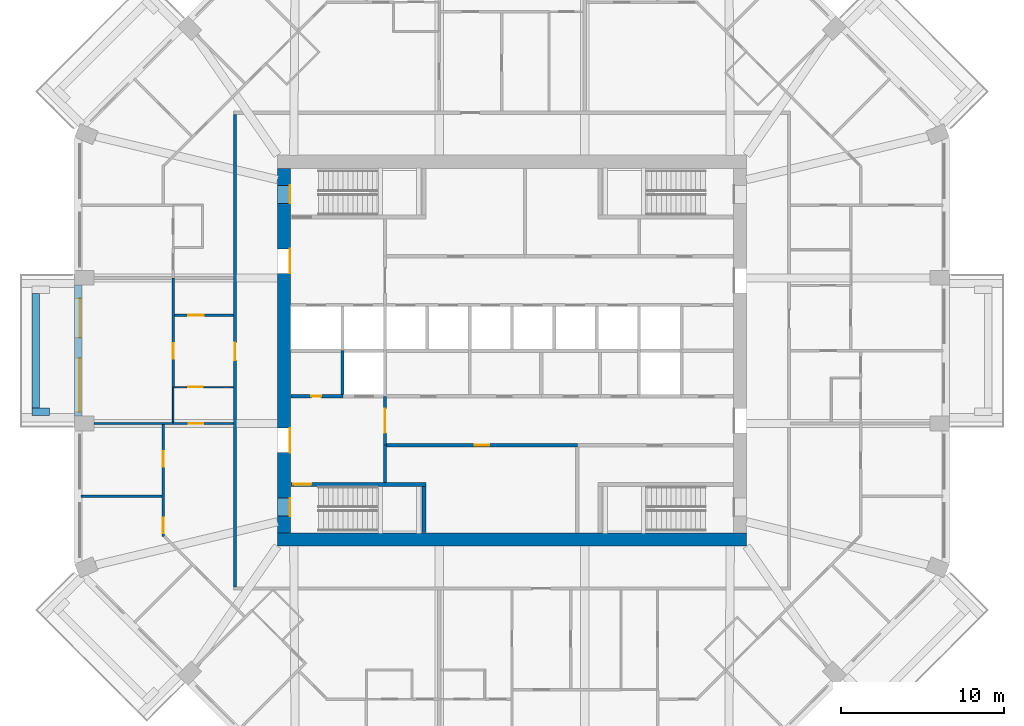
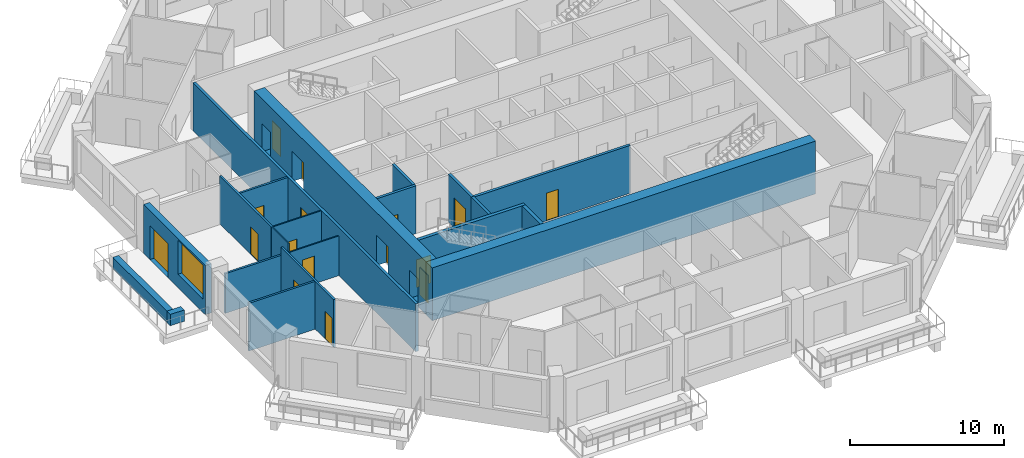
# One storey, part 4 of 13: 21 walls, 16 doors, 1 window, 17 openings.
"""IFC4 building model written with IfcOpenShell, lengths in metres."""

from ifc_helpers import new_model, si_unit, direction, frame, frame_2d, origin, place, context, subcontext, project, spatial, rectangle, extrude, material, layer, layer_set, type_object, element, fill, save


model = new_model("IFC4")

# Units and contexts
model_context = context("Model", 3, precision=1e-05, world=origin(), true_north=direction((0.0, 1.0)))
body_context = subcontext(model_context, "Body", "Model", "MODEL_VIEW")
ifc_project = project(units=[si_unit("LENGTHUNIT", "METRE"), si_unit("AREAUNIT", "SQUARE_METRE"), si_unit("VOLUMEUNIT", "CUBIC_METRE"), si_unit("PLANEANGLEUNIT", "RADIAN"), si_unit("MASSUNIT", "GRAM", prefix="KILO")], contexts=[model_context])

# Site, building, storey
site_placement = place(None, origin())
site = spatial("IfcSite", under=ifc_project, at=site_placement, CompositionType="ELEMENT")
building_placement = place(site_placement, origin())
building = spatial("IfcBuilding", under=site, at=building_placement, Name="Msitu Wima Residences", CompositionType="ELEMENT")
storey_placement = place(building_placement, frame((0.0, 0.0, 144.300048828125)))
storey = spatial("IfcBuildingStorey", under=building, at=storey_placement, Name="L33", CompositionType="ELEMENT", Elevation=144.300048828125)

# Walls
ifc_material_1 = material(Name="Facing brick")
ifc_layer_1 = layer(ifc_material_1, 0.06494140625, Name="Facing brick")
ifc_material_2 = material(Name="Concrete C40/50", Category="concrete")
ifc_layer_2 = layer(ifc_material_2, 0.156005859375, Name="Concrete C40/50")
ifc_material_3 = material(Name="Waterproofing membrane")
ifc_layer_3 = layer(ifc_material_3, 0.00390625, Name="Waterproofing membrane")
ifc_material_4 = material(Name="Planting soil and planting")
ifc_layer_4 = layer(ifc_material_4, 0.22509765625, Name="Planting soil and planting")
ifc_layer_set_1 = layer_set([ifc_layer_1, ifc_layer_2, ifc_layer_3, ifc_layer_4], Name="Concrete C40/50")
wall_type_1 = type_object("IfcWallType", Name="Balcony planter PLANTER PL450", PredefinedType="USERDEFINED", material=ifc_layer_set_1)
wall_1_placement = place(storey_placement, frame((-29.22509765625, 3.5185546875, 0.0), z_axis=(0.0, 0.0, 1.0), x_axis=(0.0, -1.0, 0.0)))
element("IfcWall", 1, at=wall_1_placement, inside=storey, type_object=wall_type_1, Name="Balcony planter W1 L33", ObjectType="PLANTER", PredefinedType="USERDEFINED", context=body_context, shape_type="SweptSolid", body=[
    extrude(rectangle(XDim=7.037109375, YDim=0.449951171875, at=frame_2d((3.5185546875, 0.0))), origin(), (0.0, 0.0, 1.0), 0.89990234375),
])
wall_2_placement = place(storey_placement, frame((-28.39990234375, -3.74365234375, 0.0), z_axis=(0.0, 0.0, 1.0), x_axis=(-1.0, 0.0, 0.0)))
element("IfcWall", 2, at=wall_2_placement, inside=storey, type_object=wall_type_1, Name="Balcony planter W1 L33", ObjectType="PLANTER", PredefinedType="USERDEFINED", context=body_context, shape_type="SweptSolid", body=[
    extrude(rectangle(XDim=1.050048828125, YDim=0.449951171875, at=frame_2d((0.52490234375, 0.0))), origin(), (0.0, 0.0, 1.0), 0.89990234375),
])

# Wall, openings, door, window
ifc_material_5 = material(Name="Brick (red buff mix)", Category="masonry")
ifc_layer_5 = layer(ifc_material_5, 0.449951171875)
ifc_layer_set_2 = layer_set([ifc_layer_5], Name="Brick (red buff mix)")
wall_type_2 = type_object("IfcWallType", Name="Brick infill wall BW450", PredefinedType="SOLIDWALL", material=ifc_layer_set_2)
wall_3_placement = place(storey_placement, frame((-26.625, 4.0185546875, 0.0), z_axis=(0.0, 0.0, 1.0), x_axis=(0.0, -1.0, 0.0)))
wall_3 = element("IfcWall", 3, at=wall_3_placement, inside=storey, type_object=wall_type_2, Name="Brick infill wall L33 W1", PredefinedType="SOLIDWALL", context=body_context, shape_type="SweptSolid", body=[
    extrude(rectangle(XDim=8.037109375, YDim=0.449951171875, at=frame_2d((4.0185546875, 0.0))), origin(), (0.0, 0.0, 1.0), 3.89990234375),
])
opening_1_placement = place(wall_3_placement, frame((0.809326171875, 0.0, 0.0)))
opening_1 = element("IfcOpeningElement", 4, at=opening_1_placement, cuts=wall_3, Name="Opening D33.010", PredefinedType="OPENING", context=body_context, shape_type="SweptSolid", body=[
    extrude(rectangle(XDim=2.39990234375, YDim=2.699951171875, at=frame_2d((1.199951171875, 1.35009765625))), frame((0.0, 0.23486328125, 0.0), z_axis=(0.0, -1.0, 0.0), x_axis=(1.0, 0.0, 0.0)), (0.0, 0.0, 1.0), 0.469970703125),
])
opening_2_placement = place(wall_3_placement, frame((4.46875, 0.0, 1.050048828125)))
opening_2 = element("IfcOpeningElement", 5, at=opening_2_placement, cuts=wall_3, Name="Opening W33.028", PredefinedType="OPENING", context=body_context, shape_type="SweptSolid", body=[
    extrude(rectangle(XDim=3.300048828125, YDim=2.699951171875, at=frame_2d((1.64990234375, 1.35009765625))), frame((0.0, 0.23486328125, 0.0), z_axis=(0.0, -1.0, 0.0), x_axis=(1.0, 0.0, 0.0)), (0.0, 0.0, 1.0), 0.469970703125),
])
ifc_material_6 = material(Name="Anodised aluminium, bronze finish, clear low-emissivity double glazing", Category="aluminium")
door_type_1 = type_object("IfcDoorType", Name="Balcony door D2400x2700", OperationType="SLIDING_TO_LEFT", PredefinedType="DOOR", material=ifc_material_6)
door_1_placement = place(opening_1_placement, origin())
door_1 = element("IfcDoor", 6, at=door_1_placement, inside=storey, type_object=door_type_1, Name="Balcony door L33 W1", OperationType="SINGLE_SWING_LEFT", OverallHeight=2.699951171875, OverallWidth=2.39990234375, PredefinedType="DOOR", context=body_context, shape_type="SweptSolid", body=[
    extrude(rectangle(XDim=2.39990234375, YDim=2.699951171875, at=frame_2d((1.199951171875, 1.35009765625))), frame((0.0, 0.1298828125, 0.0), z_axis=(0.0, -1.0, 0.0), x_axis=(1.0, 0.0, 0.0)), (0.0, 0.0, 1.0), 0.050048828125),
])
fill(opening_1, door_1)
window_type = type_object("IfcWindowType", Name="Window W3300x2700", PartitioningType="DOUBLE_PANEL_VERTICAL", PredefinedType="WINDOW", material=ifc_material_6)
window_placement = place(opening_2_placement, origin())
window = element("IfcWindow", 7, at=window_placement, inside=storey, type_object=window_type, Name="Window L33 W1.2", OverallHeight=2.699951171875, OverallWidth=3.300048828125, PartitioningType="SINGLE_PANEL", PredefinedType="WINDOW", context=body_context, shape_type="SweptSolid", body=[
    extrude(rectangle(XDim=3.300048828125, YDim=2.699951171875, at=frame_2d((1.64990234375, 1.35009765625))), frame((0.0, 0.135009765625, 0.0), z_axis=(0.0, -1.0, 0.0), x_axis=(1.0, 0.0, 0.0)), (0.0, 0.0, 1.0), 0.06005859375),
])
fill(opening_2, window)

# Wall
ifc_material_7 = material(Name="Concrete C70/85", Category="concrete")
ifc_layer_6 = layer(ifc_material_7, 0.800048828125)
ifc_layer_set_3 = layer_set([ifc_layer_6], Name="Concrete C70/85")
wall_type_3 = type_object("IfcWallType", Name="Core wall CW800 C70/85", PredefinedType="SHEAR", material=ifc_layer_set_3)
wall_4_placement = place(storey_placement, frame((-14.39990234375, -11.60009765625, 0.0), z_axis=(0.0, 0.0, 1.0), x_axis=(1.0, 0.0, 0.0)))
element("IfcWall", 8, at=wall_4_placement, inside=storey, type_object=wall_type_3, Name="Core wall", PredefinedType="SHEAR", context=body_context, shape_type="SweptSolid", body=[
    extrude(rectangle(XDim=28.7998046875, YDim=0.800048828125, at=frame_2d((14.39990234375, 0.0))), origin(), (0.0, 0.0, 1.0), 4.199951171875),
])

# Wall, openings, doors
wall_5_placement = place(storey_placement, frame((-14.0, -11.199951171875, 0.0), z_axis=(0.0, 0.0, 1.0), x_axis=(0.0, 1.0, 0.0)))
wall_5 = element("IfcWall", 9, at=wall_5_placement, inside=storey, type_object=wall_type_3, Name="Core wall", PredefinedType="SHEAR", context=body_context, shape_type="SweptSolid", body=[
    extrude(rectangle(XDim=22.39990234375, YDim=0.800048828125, at=frame_2d((11.199951171875, 0.0))), origin(), (0.0, 0.0, 1.0), 4.199951171875),
])
opening_3_placement = place(wall_5_placement, frame((20.25, 0.0, 0.0)))
opening_3 = element("IfcOpeningElement", 10, at=opening_3_placement, cuts=wall_5, Name="Opening D33.033", PredefinedType="OPENING", context=body_context, shape_type="SweptSolid", body=[
    extrude(rectangle(XDim=1.10009765625, YDim=2.199951171875, at=frame_2d((0.550048828125, 1.10009765625))), frame((0.0, 0.409912109375, 0.0), z_axis=(0.0, -1.0, 0.0), x_axis=(1.0, 0.0, 0.0)), (0.0, 0.0, 1.0), 0.820068359375),
])
opening_4_placement = place(wall_5_placement, frame((1.050048828125, 0.0, 0.0)))
opening_4 = element("IfcOpeningElement", 11, at=opening_4_placement, cuts=wall_5, Name="Opening D33.035", PredefinedType="OPENING", context=body_context, shape_type="SweptSolid", body=[
    extrude(rectangle(XDim=1.10009765625, YDim=2.199951171875, at=frame_2d((0.550048828125, 1.10009765625))), frame((0.0, 0.409912109375, 0.0), z_axis=(0.0, -1.0, 0.0), x_axis=(1.0, 0.0, 0.0)), (0.0, 0.0, 1.0), 0.820068359375),
])
opening_5_placement = place(wall_5_placement, frame((15.949951171875, 0.0, 0.0)))
opening_5 = element("IfcOpeningElement", 12, at=opening_5_placement, cuts=wall_5, Name="Opening D33.016", PredefinedType="OPENING", context=body_context, shape_type="SweptSolid", body=[
    extrude(rectangle(XDim=1.5, YDim=2.39990234375, at=frame_2d((0.75, 1.199951171875))), frame((0.0, 0.409912109375, 0.0), z_axis=(0.0, -1.0, 0.0), x_axis=(1.0, 0.0, 0.0)), (0.0, 0.0, 1.0), 0.820068359375),
])
opening_6_placement = place(wall_5_placement, frame((4.949951171875, 0.0, 0.0)))
opening_6 = element("IfcOpeningElement", 13, at=opening_6_placement, cuts=wall_5, Name="Opening D33.018", PredefinedType="OPENING", context=body_context, shape_type="SweptSolid", body=[
    extrude(rectangle(XDim=1.5, YDim=2.39990234375, at=frame_2d((0.75, 1.199951171875))), frame((0.0, 0.409912109375, 0.0), z_axis=(0.0, -1.0, 0.0), x_axis=(1.0, 0.0, 0.0)), (0.0, 0.0, 1.0), 0.820068359375),
])
ifc_material_8 = material(Name="Steel framed glazed door, fire resisting", Category="steel")
door_type_2 = type_object("IfcDoorType", Name="Lobby door D07 1500x2400", OperationType="DOUBLE_DOOR_SINGLE_SWING", PredefinedType="DOOR", material=ifc_material_8)
door_2_placement = place(opening_5_placement, origin())
door_2 = element("IfcDoor", 14, at=door_2_placement, inside=storey, type_object=door_type_2, Name="Lobby door", OperationType="DOUBLE_DOOR_SINGLE_SWING", OverallHeight=2.39990234375, OverallWidth=1.5, PredefinedType="DOOR", context=body_context, shape_type="SweptSolid", body=[
    extrude(rectangle(XDim=1.5, YDim=2.39990234375, at=frame_2d((0.75, 1.199951171875))), frame((0.0, -0.34521484375, 0.0), z_axis=(0.0, -1.0, 0.0), x_axis=(1.0, 0.0, 0.0)), (0.0, 0.0, 1.0), 0.050048828125),
])
fill(opening_5, door_2)
door_3_placement = place(opening_6_placement, origin())
door_3 = element("IfcDoor", 15, at=door_3_placement, inside=storey, type_object=door_type_2, Name="Lobby door", OperationType="DOUBLE_DOOR_SINGLE_SWING", OverallHeight=2.39990234375, OverallWidth=1.5, PredefinedType="DOOR", context=body_context, shape_type="SweptSolid", body=[
    extrude(rectangle(XDim=1.5, YDim=2.39990234375, at=frame_2d((0.75, 1.199951171875))), frame((0.0, -0.34521484375, 0.0), z_axis=(0.0, -1.0, 0.0), x_axis=(1.0, 0.0, 0.0)), (0.0, 0.0, 1.0), 0.050048828125),
])
fill(opening_6, door_3)
ifc_material_9 = material(Name="Steel door, fire resisting, panic bar", Category="steel")
door_type_3 = type_object("IfcDoorType", Name="Stair door D06 1100x2200", OperationType="SINGLE_SWING_LEFT", PredefinedType="DOOR", material=ifc_material_9)
door_4_placement = place(opening_3_placement, origin())
door_4 = element("IfcDoor", 16, at=door_4_placement, inside=storey, type_object=door_type_3, Name="Stair door", OperationType="SINGLE_SWING_RIGHT", OverallHeight=2.199951171875, OverallWidth=1.10009765625, PredefinedType="DOOR", context=body_context, shape_type="SweptSolid", body=[
    extrude(rectangle(XDim=1.10009765625, YDim=2.199951171875, at=frame_2d((0.550048828125, 1.10009765625))), frame((0.0, -0.34521484375, 0.0), z_axis=(0.0, -1.0, 0.0), x_axis=(1.0, 0.0, 0.0)), (0.0, 0.0, 1.0), 0.050048828125),
])
fill(opening_3, door_4)
door_5_placement = place(opening_4_placement, origin())
door_5 = element("IfcDoor", 17, at=door_5_placement, inside=storey, type_object=door_type_3, Name="Stair door", OperationType="SINGLE_SWING_LEFT", OverallHeight=2.199951171875, OverallWidth=1.10009765625, PredefinedType="DOOR", context=body_context, shape_type="SweptSolid", body=[
    extrude(rectangle(XDim=1.10009765625, YDim=2.199951171875, at=frame_2d((0.550048828125, 1.10009765625))), frame((0.0, -0.34521484375, 0.0), z_axis=(0.0, -1.0, 0.0), x_axis=(1.0, 0.0, 0.0)), (0.0, 0.0, 1.0), 0.050048828125),
])
fill(opening_4, door_5)

# Wall, opening, door
ifc_material_10 = material(Name="Plaster")
ifc_layer_7 = layer(ifc_material_10, 0.011962890625, Name="Plaster")
ifc_material_11 = material(Name="Concrete blockwork", Category="masonry")
ifc_layer_8 = layer(ifc_material_11, 0.176025390625, Name="Concrete blockwork")
ifc_layer_9 = layer(ifc_material_10, 0.011962890625, Name="Plaster")
ifc_layer_set_4 = layer_set([ifc_layer_7, ifc_layer_8, ifc_layer_9], Name="Concrete blockwork")
wall_type_4 = type_object("IfcWallType", Name="Corridor wall FW200", PredefinedType="PARTITIONING", material=ifc_layer_set_4)
wall_6_placement = place(storey_placement, frame((-17.0, -14.5, 0.0), z_axis=(0.0, 0.0, 1.0), x_axis=(0.0, 1.0, 0.0)))
wall_6 = element("IfcWall", 18, at=wall_6_placement, inside=storey, type_object=wall_type_4, Name="Corridor wall", PredefinedType="PARTITIONING", context=body_context, shape_type="SweptSolid", body=[
    extrude(rectangle(XDim=29.0, YDim=0.199951171875, at=frame_2d((14.5, 0.0))), origin(), (0.0, 0.0, 1.0), 3.7978515625),
])
opening_7_placement = place(wall_6_placement, frame((13.89990234375, 0.0, 0.0)))
opening_7 = element("IfcOpeningElement", 19, at=opening_7_placement, cuts=wall_6, Name="Opening D33.013", PredefinedType="OPENING", context=body_context, shape_type="SweptSolid", body=[
    extrude(rectangle(XDim=1.10009765625, YDim=2.39990234375, at=frame_2d((0.550048828125, 1.199951171875))), frame((0.0, 0.10986328125, 0.0), z_axis=(0.0, -1.0, 0.0), x_axis=(1.0, 0.0, 0.0)), (0.0, 0.0, 1.0), 0.219970703125),
])
ifc_material_12 = material(Name="Timber flush door, fire resisting, self-closing", Category="wood")
door_type_4 = type_object("IfcDoorType", Name="Flat entrance door D01 1100x2400", OperationType="SINGLE_SWING_LEFT", PredefinedType="DOOR", material=ifc_material_12)
door_6_placement = place(opening_7_placement, origin())
door_6 = element("IfcDoor", 20, at=door_6_placement, inside=storey, type_object=door_type_4, Name="Flat entrance door", OperationType="SINGLE_SWING_LEFT", OverallHeight=2.39990234375, OverallWidth=1.10009765625, PredefinedType="DOOR", context=body_context, shape_type="SweptSolid", body=[
    extrude(rectangle(XDim=1.10009765625, YDim=2.39990234375, at=frame_2d((0.550048828125, 1.199951171875))), frame((0.0, 0.02490234375, 0.0), z_axis=(0.0, -1.0, 0.0), x_axis=(1.0, 0.0, 0.0)), (0.0, 0.0, 1.0), 0.050048828125),
])
fill(opening_7, door_6)

wall_7_placement = place(storey_placement, frame((-7.800048828125, -5.800048828125, 0.0), z_axis=(0.0, 0.0, 1.0), x_axis=(0.0, 1.0, 0.0)))
wall_7 = element("IfcWall", 21, at=wall_7_placement, inside=storey, type_object=wall_type_4, Name="Corridor wall", PredefinedType="PARTITIONING", context=body_context, shape_type="SweptSolid", body=[
    extrude(rectangle(XDim=3.0, YDim=0.199951171875, at=frame_2d((1.5, 0.0))), origin(), (0.0, 0.0, 1.0), 3.7978515625),
])
opening_8_placement = place(wall_7_placement, frame((0.75, 0.0, 0.0)))
opening_8 = element("IfcOpeningElement", 22, at=opening_8_placement, cuts=wall_7, Name="Opening D33.019", PredefinedType="OPENING", context=body_context, shape_type="SweptSolid", body=[
    extrude(rectangle(XDim=1.5, YDim=2.39990234375, at=frame_2d((0.75, 1.199951171875))), frame((0.0, 0.10986328125, 0.0), z_axis=(0.0, -1.0, 0.0), x_axis=(1.0, 0.0, 0.0)), (0.0, 0.0, 1.0), 0.219970703125),
])
door_7_placement = place(opening_8_placement, origin())
door_7 = element("IfcDoor", 23, at=door_7_placement, inside=storey, type_object=door_type_2, Name="Lobby door", OperationType="DOUBLE_DOOR_SINGLE_SWING", OverallHeight=2.39990234375, OverallWidth=1.5, PredefinedType="DOOR", context=body_context, shape_type="SweptSolid", body=[
    extrude(rectangle(XDim=1.5, YDim=2.39990234375, at=frame_2d((0.75, 1.199951171875))), frame((0.0, 0.02490234375, 0.0), z_axis=(0.0, -1.0, 0.0), x_axis=(1.0, 0.0, 0.0)), (0.0, 0.0, 1.0), 0.050048828125),
])
fill(opening_8, door_7)

# Walls
ifc_layer_10 = layer(ifc_material_10, 0.011962890625, Name="Plaster")
ifc_layer_11 = layer(ifc_material_11, 0.1259765625, Name="Concrete blockwork")
ifc_layer_12 = layer(ifc_material_10, 0.011962890625, Name="Plaster")
ifc_layer_set_5 = layer_set([ifc_layer_10, ifc_layer_11, ifc_layer_12], Name="Concrete blockwork")
wall_type_5 = type_object("IfcWallType", Name="Partition PW150", PredefinedType="PARTITIONING", material=ifc_layer_set_5)
wall_8_placement = place(storey_placement, frame((-26.455078125, -8.937255859375, 0.0), z_axis=(0.0, 0.0, 1.0), x_axis=(1.0, 0.0, 0.0)))
element("IfcWall", 24, at=wall_8_placement, inside=storey, type_object=wall_type_5, Name="Partition", PredefinedType="PARTITIONING", context=body_context, shape_type="SweptSolid", body=[
    extrude(rectangle(XDim=4.97998046875, YDim=0.14990234375, at=frame_2d((2.489990234375, 0.0))), origin(), (0.0, 0.0, 1.0), 3.7978515625),
])
wall_9_placement = place(storey_placement, frame((-25.64990234375, -4.46875, 0.0), z_axis=(0.0, 0.0, 1.0), x_axis=(1.0, 0.0, 0.0)))
element("IfcWall", 25, at=wall_9_placement, inside=storey, type_object=wall_type_5, Name="Partition", PredefinedType="PARTITIONING", context=body_context, shape_type="SweptSolid", body=[
    extrude(rectangle(XDim=4.849853515625, YDim=0.14990234375, at=frame_2d((2.4248046875, 0.0))), origin(), (0.0, 0.0, 1.0), 3.14990234375),
])

# Wall, openings, doors
wall_10_placement = place(storey_placement, frame((-21.39990234375, -11.409912109375, 0.0), z_axis=(0.0, 0.0, 1.0), x_axis=(0.0, 1.0, 0.0)))
wall_10 = element("IfcWall", 26, at=wall_10_placement, inside=storey, type_object=wall_type_5, Name="Partition", PredefinedType="PARTITIONING", context=body_context, shape_type="SweptSolid", body=[
    extrude(rectangle(XDim=6.8662109375, YDim=0.14990234375, at=frame_2d((3.43310546875, 0.0))), origin(), (0.0, 0.0, 1.0), 3.7978515625),
])
opening_9_placement = place(wall_10_placement, frame((4.300048828125, 0.0, 0.0)))
opening_9 = element("IfcOpeningElement", 27, at=opening_9_placement, cuts=wall_10, Name="Opening D33.063", PredefinedType="OPENING", context=body_context, shape_type="SweptSolid", body=[
    extrude(rectangle(XDim=0.949951171875, YDim=2.199951171875, at=frame_2d((0.47509765625, 1.10009765625))), frame((0.0, 0.0849609375, 0.0), z_axis=(0.0, -1.0, 0.0), x_axis=(1.0, 0.0, 0.0)), (0.0, 0.0, 1.0), 0.169921875),
])
opening_10_placement = place(wall_10_placement, frame((0.199951171875, 0.0, 0.0)))
opening_10 = element("IfcOpeningElement", 28, at=opening_10_placement, cuts=wall_10, Name="Opening D33.070", PredefinedType="OPENING", context=body_context, shape_type="SweptSolid", body=[
    extrude(rectangle(XDim=0.949951171875, YDim=2.199951171875, at=frame_2d((0.47509765625, 1.10009765625))), frame((0.0, 0.0849609375, 0.0), z_axis=(0.0, -1.0, 0.0), x_axis=(1.0, 0.0, 0.0)), (0.0, 0.0, 1.0), 0.169921875),
])
ifc_material_13 = material(Name="Timber flush door", Category="wood")
door_type_5 = type_object("IfcDoorType", Name="Room door D12 950x2200", OperationType="SINGLE_SWING_LEFT", PredefinedType="DOOR", material=ifc_material_13)
door_8_placement = place(opening_9_placement, origin())
door_8 = element("IfcDoor", 29, at=door_8_placement, inside=storey, type_object=door_type_5, Name="Room door", OperationType="SINGLE_SWING_RIGHT", OverallHeight=2.199951171875, OverallWidth=0.949951171875, PredefinedType="DOOR", context=body_context, shape_type="SweptSolid", body=[
    extrude(rectangle(XDim=0.949951171875, YDim=2.199951171875, at=frame_2d((0.47509765625, 1.10009765625))), frame((0.0, 0.02490234375, 0.0), z_axis=(0.0, -1.0, 0.0), x_axis=(1.0, 0.0, 0.0)), (0.0, 0.0, 1.0), 0.050048828125),
])
fill(opening_9, door_8)
door_9_placement = place(opening_10_placement, origin())
door_9 = element("IfcDoor", 30, at=door_9_placement, inside=storey, type_object=door_type_5, Name="Room door", OperationType="SINGLE_SWING_RIGHT", OverallHeight=2.199951171875, OverallWidth=0.949951171875, PredefinedType="DOOR", context=body_context, shape_type="SweptSolid", body=[
    extrude(rectangle(XDim=0.949951171875, YDim=2.199951171875, at=frame_2d((0.47509765625, 1.10009765625))), frame((0.0, 0.02490234375, 0.0), z_axis=(0.0, -1.0, 0.0), x_axis=(1.0, 0.0, 0.0)), (0.0, 0.0, 1.0), 0.050048828125),
])
fill(opening_10, door_9)

# Wall, opening, door
wall_11_placement = place(storey_placement, frame((-20.800048828125, -2.25146484375, 0.0), z_axis=(0.0, 0.0, 1.0), x_axis=(0.0, 1.0, 0.0)))
wall_11 = element("IfcWall", 31, at=wall_11_placement, inside=storey, type_object=wall_type_5, Name="Partition", PredefinedType="PARTITIONING", context=body_context, shape_type="SweptSolid", body=[
    extrude(rectangle(XDim=6.72021484375, YDim=0.14990234375, at=frame_2d((3.360107421875, 0.0))), origin(), (0.0, 0.0, 1.0), 3.7978515625),
])
opening_11_placement = place(wall_11_placement, frame((1.75, 0.0, 0.0)))
opening_11 = element("IfcOpeningElement", 32, at=opening_11_placement, cuts=wall_11, Name="Opening D33.058", PredefinedType="OPENING", context=body_context, shape_type="SweptSolid", body=[
    extrude(rectangle(XDim=0.949951171875, YDim=2.199951171875, at=frame_2d((0.47509765625, 1.10009765625))), frame((0.0, 0.0849609375, 0.0), z_axis=(0.0, -1.0, 0.0), x_axis=(1.0, 0.0, 0.0)), (0.0, 0.0, 1.0), 0.169921875),
])
door_10_placement = place(opening_11_placement, origin())
door_10 = element("IfcDoor", 33, at=door_10_placement, inside=storey, type_object=door_type_5, Name="Room door", OperationType="SINGLE_SWING_LEFT", OverallHeight=2.199951171875, OverallWidth=0.949951171875, PredefinedType="DOOR", context=body_context, shape_type="SweptSolid", body=[
    extrude(rectangle(XDim=0.949951171875, YDim=2.199951171875, at=frame_2d((0.47509765625, 1.10009765625))), frame((0.0, 0.02490234375, 0.0), z_axis=(0.0, -1.0, 0.0), x_axis=(1.0, 0.0, 0.0)), (0.0, 0.0, 1.0), 0.050048828125),
])
fill(opening_11, door_10)

wall_12_placement = place(storey_placement, frame((-20.72509765625, 2.168701171875, 0.0), z_axis=(0.0, 0.0, 1.0), x_axis=(1.0, 0.0, 0.0)))
wall_12 = element("IfcWall", 34, at=wall_12_placement, inside=storey, type_object=wall_type_5, Name="Partition", PredefinedType="PARTITIONING", context=body_context, shape_type="SweptSolid", body=[
    extrude(rectangle(XDim=3.625, YDim=0.14990234375, at=frame_2d((1.8125, 0.0))), origin(), (0.0, 0.0, 1.0), 3.7978515625),
])
opening_12_placement = place(wall_12_placement, frame((0.85009765625, 0.0, 0.0)))
opening_12 = element("IfcOpeningElement", 35, at=opening_12_placement, cuts=wall_12, Name="Opening D33.060", PredefinedType="OPENING", context=body_context, shape_type="SweptSolid", body=[
    extrude(rectangle(XDim=0.949951171875, YDim=2.199951171875, at=frame_2d((0.47509765625, 1.10009765625))), frame((0.0, 0.0849609375, 0.0), z_axis=(0.0, -1.0, 0.0), x_axis=(1.0, 0.0, 0.0)), (0.0, 0.0, 1.0), 0.169921875),
])
door_11_placement = place(opening_12_placement, origin())
door_11 = element("IfcDoor", 36, at=door_11_placement, inside=storey, type_object=door_type_5, Name="Room door", OperationType="SINGLE_SWING_LEFT", OverallHeight=2.199951171875, OverallWidth=0.949951171875, PredefinedType="DOOR", context=body_context, shape_type="SweptSolid", body=[
    extrude(rectangle(XDim=0.949951171875, YDim=2.199951171875, at=frame_2d((0.47509765625, 1.10009765625))), frame((0.0, 0.02490234375, 0.0), z_axis=(0.0, -1.0, 0.0), x_axis=(1.0, 0.0, 0.0)), (0.0, 0.0, 1.0), 0.050048828125),
])
fill(opening_12, door_11)

ifc_layer_13 = layer(ifc_material_10, 0.011962890625, Name="Plaster")
ifc_material_14 = material(Name="Reinforced concrete blockwork", Category="masonry")
ifc_layer_14 = layer(ifc_material_14, 0.176025390625, Name="Reinforced concrete blockwork")
ifc_layer_15 = layer(ifc_material_10, 0.011962890625, Name="Plaster")
ifc_layer_set_6 = layer_set([ifc_layer_13, ifc_layer_14, ifc_layer_15], Name="Reinforced concrete blockwork")
wall_type_6 = type_object("IfcWallType", Name="Plant and riser wall PL200", PredefinedType="PARTITIONING", material=ifc_layer_set_6)
wall_13_placement = place(storey_placement, frame((-13.570068359375, -2.800048828125, 0.0), z_axis=(0.0, 0.0, 1.0), x_axis=(1.0, 0.0, 0.0)))
wall_13 = element("IfcWall", 37, at=wall_13_placement, inside=storey, type_object=wall_type_6, Name="Plant and riser wall", PredefinedType="PARTITIONING", context=body_context, shape_type="SweptSolid", body=[
    extrude(rectangle(XDim=3.190185546875, YDim=0.199951171875, at=frame_2d((1.59521484375, 0.0))), origin(), (0.0, 0.0, 1.0), 3.7978515625),
])
opening_13_placement = place(wall_13_placement, frame((1.25, 0.0, 0.0)))
opening_13 = element("IfcOpeningElement", 38, at=opening_13_placement, cuts=wall_13, Name="Opening D33.028", PredefinedType="OPENING", context=body_context, shape_type="SweptSolid", body=[
    extrude(rectangle(XDim=0.60009765625, YDim=2.0, at=frame_2d((0.300048828125, 1.0))), frame((0.0, 0.10986328125, 0.0), z_axis=(0.0, -1.0, 0.0), x_axis=(1.0, 0.0, 0.0)), (0.0, 0.0, 1.0), 0.219970703125),
])
ifc_material_15 = material(Name="Steel access door, fire resisting", Category="steel")
door_type_6 = type_object("IfcDoorType", Name="Riser access door D08 600x2000", OperationType="SINGLE_SWING_LEFT", PredefinedType="DOOR", material=ifc_material_15)
door_12_placement = place(opening_13_placement, origin())
door_12 = element("IfcDoor", 39, at=door_12_placement, inside=storey, type_object=door_type_6, Name="Riser access door", OperationType="SINGLE_SWING_RIGHT", OverallHeight=2.0, OverallWidth=0.60009765625, PredefinedType="DOOR", context=body_context, shape_type="SweptSolid", body=[
    extrude(rectangle(XDim=0.60009765625, YDim=2.0, at=frame_2d((0.300048828125, 1.0))), frame((0.0, 0.02490234375, 0.0), z_axis=(0.0, -1.0, 0.0), x_axis=(1.0, 0.0, 0.0)), (0.0, 0.0, 1.0), 0.050048828125),
])
fill(opening_13, door_12)

# Wall
wall_14_placement = place(storey_placement, frame((-7.800048828125, -8.074951171875, 0.0), z_axis=(0.0, 0.0, 1.0), x_axis=(0.0, 1.0, 0.0)))
element("IfcWall", 40, at=wall_14_placement, inside=storey, type_object=wall_type_6, Name="Plant and riser wall", PredefinedType="PARTITIONING", context=body_context, shape_type="SweptSolid", body=[
    extrude(rectangle(XDim=2.27490234375, YDim=0.199951171875, at=frame_2d((1.137451171875, 0.0))), origin(), (0.0, 0.0, 1.0), 3.7978515625),
])

# Wall, opening, door
wall_15_placement = place(storey_placement, frame((-7.699951171875, -5.800048828125, 0.0), z_axis=(0.0, 0.0, 1.0), x_axis=(1.0, 0.0, 0.0)))
wall_15 = element("IfcWall", 41, at=wall_15_placement, inside=storey, type_object=wall_type_6, Name="Plant and riser wall", PredefinedType="PARTITIONING", context=body_context, shape_type="SweptSolid", body=[
    extrude(rectangle(XDim=11.719970703125, YDim=0.199951171875, at=frame_2d((5.85986328125, 0.0))), origin(), (0.0, 0.0, 1.0), 3.7978515625),
])
opening_14_placement = place(wall_15_placement, frame((5.39990234375, 0.0, 0.0)))
opening_14 = element("IfcOpeningElement", 42, at=opening_14_placement, cuts=wall_15, Name="Opening D33.023", PredefinedType="OPENING", context=body_context, shape_type="SweptSolid", body=[
    extrude(rectangle(XDim=0.89990234375, YDim=2.199951171875, at=frame_2d((0.449951171875, 1.10009765625))), frame((0.0, 0.10986328125, 0.0), z_axis=(0.0, -1.0, 0.0), x_axis=(1.0, 0.0, 0.0)), (0.0, 0.0, 1.0), 0.219970703125),
])
door_type_7 = type_object("IfcDoorType", Name="Service door D05 900x2200", OperationType="SINGLE_SWING_LEFT", PredefinedType="DOOR", material=ifc_material_13)
door_13_placement = place(opening_14_placement, origin())
door_13 = element("IfcDoor", 43, at=door_13_placement, inside=storey, type_object=door_type_7, Name="Service door", OperationType="SINGLE_SWING_RIGHT", OverallHeight=2.199951171875, OverallWidth=0.89990234375, PredefinedType="DOOR", context=body_context, shape_type="SweptSolid", body=[
    extrude(rectangle(XDim=0.89990234375, YDim=2.199951171875, at=frame_2d((0.449951171875, 1.10009765625))), frame((0.0, 0.02490234375, 0.0), z_axis=(0.0, -1.0, 0.0), x_axis=(1.0, 0.0, 0.0)), (0.0, 0.0, 1.0), 0.050048828125),
])
fill(opening_14, door_13)

# Wall
ifc_material_16 = material(Name="Fire-rated board")
ifc_layer_16 = layer(ifc_material_16, 0.02490234375, Name="Fire-rated board")
ifc_material_17 = material(Name="Light-gauge stud framing with mineral wool")
ifc_layer_17 = layer(ifc_material_17, 0.14990234375, Name="Light-gauge stud framing with mineral wool")
ifc_layer_18 = layer(ifc_material_16, 0.02490234375, Name="Fire-rated board")
ifc_layer_set_7 = layer_set([ifc_layer_16, ifc_layer_17, ifc_layer_18], Name="Light-gauge stud framing with mineral wool")
wall_type_7 = type_object("IfcWallType", Name="Shaft wall SH200", PredefinedType="PARTITIONING", material=ifc_layer_set_7)
wall_16_placement = place(storey_placement, frame((-10.39990234375, -2.699951171875, 0.0), z_axis=(0.0, 0.0, 1.0), x_axis=(0.0, 1.0, 0.0)))
element("IfcWall", 44, at=wall_16_placement, inside=storey, type_object=wall_type_7, Name="Shaft wall", PredefinedType="PARTITIONING", context=body_context, shape_type="SweptSolid", body=[
    extrude(rectangle(XDim=2.699951171875, YDim=0.199951171875, at=frame_2d((1.35009765625, 0.0))), origin(), (0.0, 0.0, 1.0), 3.7978515625),
])

# Wall, opening, door
ifc_material_18 = material(Name="Concrete C50/60", Category="concrete")
ifc_layer_19 = layer(ifc_material_18, 0.25)
ifc_layer_set_8 = layer_set([ifc_layer_19], Name="Concrete C50/60")
wall_type_8 = type_object("IfcWallType", Name="Stair enclosure wall SW250", PredefinedType="SHEAR", material=ifc_layer_set_8)
wall_17_placement = place(storey_placement, frame((-13.570068359375, -8.199951171875, 0.0), z_axis=(0.0, 0.0, 1.0), x_axis=(1.0, 0.0, 0.0)))
wall_17 = element("IfcWall", 45, at=wall_17_placement, inside=storey, type_object=wall_type_8, Name="Stair enclosure wall", PredefinedType="SHEAR", context=body_context, shape_type="SweptSolid", body=[
    extrude(rectangle(XDim=8.295166015625, YDim=0.25, at=frame_2d((4.1474609375, 0.0))), origin(), (0.0, 0.0, 1.0), 3.7978515625),
])
opening_15_placement = place(wall_17_placement, frame((0.14990234375, 0.0, 0.0)))
opening_15 = element("IfcOpeningElement", 46, at=opening_15_placement, cuts=wall_17, Name="Opening D33.036", PredefinedType="OPENING", context=body_context, shape_type="SweptSolid", body=[
    extrude(rectangle(XDim=1.10009765625, YDim=2.199951171875, at=frame_2d((0.550048828125, 1.10009765625))), frame((0.0, 0.135009765625, 0.0), z_axis=(0.0, -1.0, 0.0), x_axis=(1.0, 0.0, 0.0)), (0.0, 0.0, 1.0), 0.27001953125),
])
door_14_placement = place(opening_15_placement, origin())
door_14 = element("IfcDoor", 47, at=door_14_placement, inside=storey, type_object=door_type_3, Name="Stair door", OperationType="SINGLE_SWING_RIGHT", OverallHeight=2.199951171875, OverallWidth=1.10009765625, PredefinedType="DOOR", context=body_context, shape_type="SweptSolid", body=[
    extrude(rectangle(XDim=1.10009765625, YDim=2.199951171875, at=frame_2d((0.550048828125, 1.10009765625))), frame((0.0, 0.02490234375, 0.0), z_axis=(0.0, -1.0, 0.0), x_axis=(1.0, 0.0, 0.0)), (0.0, 0.0, 1.0), 0.050048828125),
])
fill(opening_15, door_14)

# Wall
wall_18_placement = place(storey_placement, frame((-5.39990234375, -11.169921875, 0.0), z_axis=(0.0, 0.0, 1.0), x_axis=(0.0, 1.0, 0.0)))
element("IfcWall", 48, at=wall_18_placement, inside=storey, type_object=wall_type_8, Name="Stair enclosure wall", PredefinedType="SHEAR", context=body_context, shape_type="SweptSolid", body=[
    extrude(rectangle(XDim=2.844970703125, YDim=0.25, at=frame_2d((1.42236328125, 0.0))), origin(), (0.0, 0.0, 1.0), 3.7978515625),
])

# Wall, opening, door
ifc_material_19 = material(Name="Ceramic tiles")
ifc_layer_20 = layer(ifc_material_19, 0.008056640625, Name="Ceramic tiles")
ifc_material_20 = material(Name="Moisture-resistant board")
ifc_layer_21 = layer(ifc_material_20, 0.012451171875, Name="Moisture-resistant board")
ifc_layer_22 = layer(ifc_material_17, 0.06689453125, Name="Light-gauge stud framing with mineral wool")
ifc_layer_23 = layer(ifc_material_20, 0.012451171875, Name="Moisture-resistant board")
ifc_layer_set_9 = layer_set([ifc_layer_20, ifc_layer_21, ifc_layer_22, ifc_layer_23], Name="Light-gauge stud framing with mineral wool")
wall_type_9 = type_object("IfcWallType", Name="Wet wall PW100", PredefinedType="PARTITIONING", material=ifc_layer_set_9)
wall_19_placement = place(storey_placement, frame((-20.800048828125, -4.46875, 0.0), z_axis=(0.0, 0.0, 1.0), x_axis=(1.0, 0.0, 0.0)))
wall_19 = element("IfcWall", 49, at=wall_19_placement, inside=storey, type_object=wall_type_9, Name="Wet wall", PredefinedType="PARTITIONING", context=body_context, shape_type="SweptSolid", body=[
    extrude(rectangle(XDim=3.699951171875, YDim=0.10009765625, at=frame_2d((1.85009765625, 0.0))), origin(), (0.0, 0.0, 1.0), 3.14990234375),
])
opening_16_placement = place(wall_19_placement, frame((0.949951171875, 0.0, 0.0)))
opening_16 = element("IfcOpeningElement", 50, at=opening_16_placement, cuts=wall_19, Name="Opening D33.062", PredefinedType="OPENING", context=body_context, shape_type="SweptSolid", body=[
    extrude(rectangle(XDim=0.89990234375, YDim=2.199951171875, at=frame_2d((0.449951171875, 1.10009765625))), frame((0.0, 0.06005859375, 0.0), z_axis=(0.0, -1.0, 0.0), x_axis=(1.0, 0.0, 0.0)), (0.0, 0.0, 1.0), 0.1201171875),
])
ifc_material_21 = material(Name="Timber flush door, moisture resistant", Category="wood")
door_type_8 = type_object("IfcDoorType", Name="Bathroom door D03 900x2200", OperationType="SINGLE_SWING_LEFT", PredefinedType="DOOR", material=ifc_material_21)
door_15_placement = place(opening_16_placement, origin())
door_15 = element("IfcDoor", 51, at=door_15_placement, inside=storey, type_object=door_type_8, Name="Bathroom door", OperationType="SINGLE_SWING_LEFT", OverallHeight=2.199951171875, OverallWidth=0.89990234375, PredefinedType="DOOR", context=body_context, shape_type="SweptSolid", body=[
    extrude(rectangle(XDim=0.89990234375, YDim=2.199951171875, at=frame_2d((0.449951171875, 1.10009765625))), frame((0.0, 0.02490234375, 0.0), z_axis=(0.0, -1.0, 0.0), x_axis=(1.0, 0.0, 0.0)), (0.0, 0.0, 1.0), 0.050048828125),
])
fill(opening_16, door_15)

# Wall
wall_20_placement = place(storey_placement, frame((-20.800048828125, -4.3935546875, 0.0), z_axis=(0.0, 0.0, 1.0), x_axis=(0.0, 1.0, 0.0)))
element("IfcWall", 52, at=wall_20_placement, inside=storey, type_object=wall_type_9, Name="Wet wall", PredefinedType="PARTITIONING", context=body_context, shape_type="SweptSolid", body=[
    extrude(rectangle(XDim=2.14208984375, YDim=0.10009765625, at=frame_2d((1.071044921875, 0.0))), origin(), (0.0, 0.0, 1.0), 3.7978515625),
])

# Wall, opening, door
wall_21_placement = place(storey_placement, frame((-20.72509765625, -2.2314453125, 0.0), z_axis=(0.0, 0.0, 1.0), x_axis=(1.0, 0.0, 0.0)))
wall_21 = element("IfcWall", 53, at=wall_21_placement, inside=storey, type_object=wall_type_9, Name="Wet wall", PredefinedType="PARTITIONING", context=body_context, shape_type="SweptSolid", body=[
    extrude(rectangle(XDim=3.625, YDim=0.10009765625, at=frame_2d((1.8125, 0.0))), origin(), (0.0, 0.0, 1.0), 3.7978515625),
])
opening_17_placement = place(wall_21_placement, frame((0.85009765625, 0.0, 0.0)))
opening_17 = element("IfcOpeningElement", 54, at=opening_17_placement, cuts=wall_21, Name="Opening D33.059", PredefinedType="OPENING", context=body_context, shape_type="SweptSolid", body=[
    extrude(rectangle(XDim=0.89990234375, YDim=2.199951171875, at=frame_2d((0.449951171875, 1.10009765625))), frame((0.0, 0.06005859375, 0.0), z_axis=(0.0, -1.0, 0.0), x_axis=(1.0, 0.0, 0.0)), (0.0, 0.0, 1.0), 0.1201171875),
])
door_16_placement = place(opening_17_placement, origin())
door_16 = element("IfcDoor", 55, at=door_16_placement, inside=storey, type_object=door_type_8, Name="Bathroom door", OperationType="SINGLE_SWING_RIGHT", OverallHeight=2.199951171875, OverallWidth=0.89990234375, PredefinedType="DOOR", context=body_context, shape_type="SweptSolid", body=[
    extrude(rectangle(XDim=0.89990234375, YDim=2.199951171875, at=frame_2d((0.449951171875, 1.10009765625))), frame((0.0, 0.02490234375, 0.0), z_axis=(0.0, -1.0, 0.0), x_axis=(1.0, 0.0, 0.0)), (0.0, 0.0, 1.0), 0.050048828125),
])
fill(opening_17, door_16)

save(model, "model.ifc")
